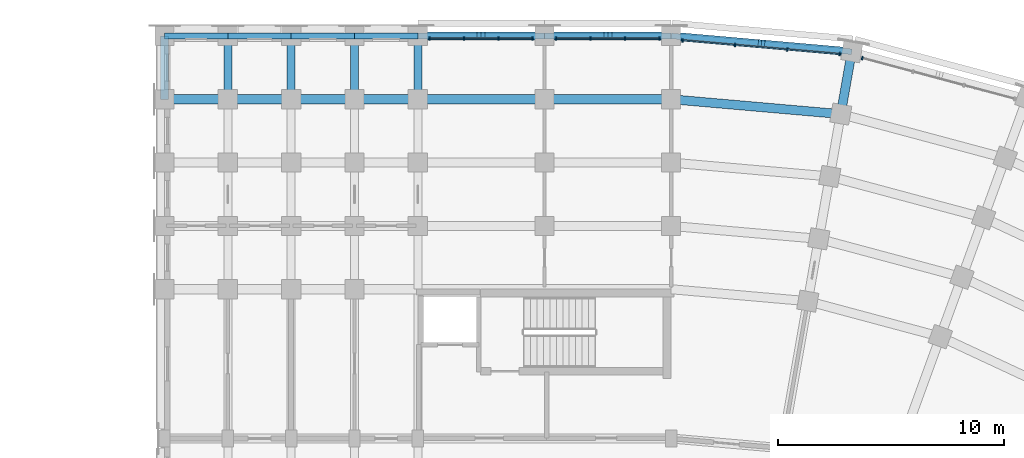
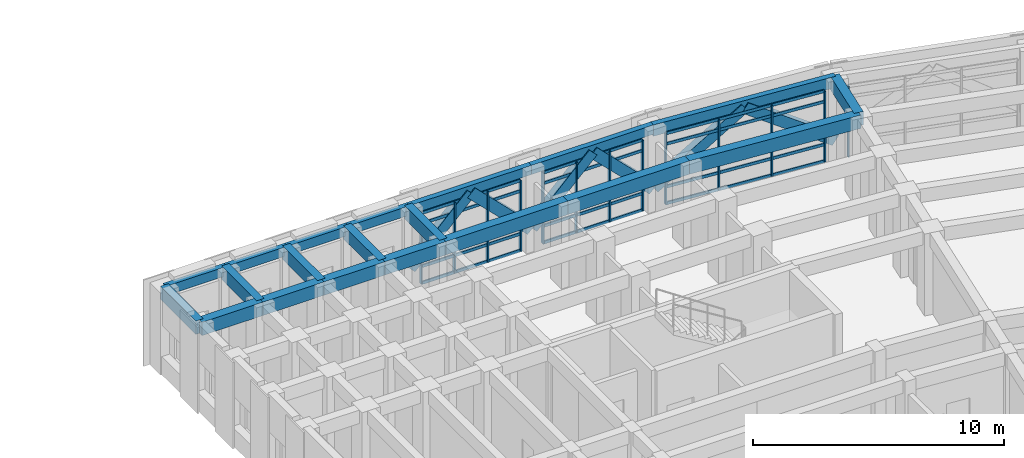
# One storey, part 39 of 97: 26 beams, 25 members, 4 elements without a shape of their own.
"""IFC4 building model written with IfcOpenShell, lengths in metres."""

from ifc_helpers import new_model, si_unit, direction, frame, origin, origin_2d, place, context, subcontext, project, spatial, rectangle, extrude, material, material_profile, profile_set, type_object, element, aggregate, save


model = new_model("IFC4")

# Units and contexts
model_context = context("Model", 3, precision=1e-05, world=origin(), true_north=direction((0.0, 1.0)))
body_context = subcontext(model_context, "Body", "Model", "MODEL_VIEW")
ifc_project = project(units=[si_unit("LENGTHUNIT", "METRE"), si_unit("AREAUNIT", "SQUARE_METRE"), si_unit("VOLUMEUNIT", "CUBIC_METRE"), si_unit("PLANEANGLEUNIT", "RADIAN"), si_unit("MASSUNIT", "GRAM", prefix="KILO")], contexts=[model_context])

# Site, building, storey
site_placement = place(None, origin())
site = spatial("IfcSite", under=ifc_project, at=site_placement, CompositionType="ELEMENT")
building_placement = place(site_placement, origin())
building = spatial("IfcBuilding", under=site, at=building_placement, Name="Kiranvali Square Residences", CompositionType="ELEMENT")
storey_placement = place(building_placement, frame((0.0, 0.0, 4.5)))
storey = spatial("IfcBuildingStorey", under=building, at=storey_placement, Name="L01", CompositionType="ELEMENT", Elevation=4.5)

# Beams
ifc_material_1 = material(Name="Concrete M40 (40 MPa)", Category="concrete")
ifc_material_profile_1 = material_profile(ifc_material_1, rectangle(XDim=0.35009765625, YDim=0.5, at=origin_2d()), Name="RC 350x500")
ifc_profile_set_1 = profile_set([ifc_material_profile_1], Name="Concrete M40 (40 MPa)")
beam_type_1 = type_object("IfcBeamType", Name="AR-M40-350x500", PredefinedType="USERDEFINED", material=ifc_profile_set_1)
for number, where, z_axis, x_axis, name in (
    (1, (119.83984375, 133.796630859375, 0.89990234375), (0.818861711603, -0.07164281584, 0.569502242498), (0.087157794078, 0.996194518621, 0.0), "Classical pointed Ottoman arch rib ARCH-B-CRV-7-00.1"),
    (2, (123.7939453125, 133.45068359375, 3.64990234375), (0.818861711603, -0.07164281584, -0.569502242498), (0.087157794078, 0.996194518621, 0.0), "Classical pointed Ottoman arch rib ARCH-B-CRV-7-00.2"),
):
    element("IfcBeam", number, at=place(storey_placement, frame(where, z_axis=z_axis, x_axis=x_axis)), inside=storey, type_object=beam_type_1, Name=name, ObjectType="ARCH RIB", PredefinedType="USERDEFINED", context=body_context, shape_type="SweptSolid", body=[
        extrude(rectangle(XDim=0.35009765625, YDim=0.5, at=origin_2d()), origin(), (0.0, 0.0, 1.0), 4.828857421875),
    ])
for number, where, z_axis, x_axis, name in (
    (3, (119.760009765625, 133.800048828125, 0.89990234375), (-0.708390178619, 0.0, 0.705821050151), (0.0, -1.0, 0.0), "Classical pointed Ottoman arch rib ARCH-B-A1-0.1"),
    (4, (117.0, 133.800048828125, 3.64990234375), (-0.708390178619, 0.0, -0.705821050151), (0.0, -1.0, 0.0), "Classical pointed Ottoman arch rib ARCH-B-A1-0.2"),
    (5, (114.159912109375, 133.800048828125, 0.89990234375), (-0.708390178619, 0.0, 0.705821050151), (0.0, -1.0, 0.0), "Classical pointed Ottoman arch rib ARCH-B-A1-1.1"),
    (6, (111.39990234375, 133.800048828125, 3.64990234375), (-0.708390178619, 0.0, -0.705821050151), (0.0, -1.0, 0.0), "Classical pointed Ottoman arch rib ARCH-B-A1-1.2"),
):
    element("IfcBeam", number, at=place(storey_placement, frame(where, z_axis=z_axis, x_axis=x_axis)), inside=storey, type_object=beam_type_1, Name=name, ObjectType="ARCH RIB", PredefinedType="USERDEFINED", context=body_context, shape_type="SweptSolid", body=[
        extrude(rectangle(XDim=0.35009765625, YDim=0.5, at=origin_2d()), origin(), (0.0, 0.0, 1.0), 3.896240234375),
    ])
ifc_material_profile_2 = material_profile(ifc_material_1, rectangle(XDim=0.35009765625, YDim=0.64990234375, at=origin_2d()), Name="RC 350x650")
ifc_profile_set_2 = profile_set([ifc_material_profile_2], Name="Concrete M40 (40 MPa)")
beam_type_2 = type_object("IfcBeamType", Name="BM-M40-350x650", PredefinedType="BEAM", material=ifc_profile_set_2)
for number, where, z_axis, x_axis, name in (
    (7, (108.60009765625, 131.0, 3.655029296875), (0.0, 1.0, 0.0), (-1.0, 0.0, 0.0), "L01 beam BM-B-L01-A1T1-67"),
    (8, (105.800048828125, 131.0, 3.655029296875), (0.0, 1.0, 0.0), (-1.0, 0.0, 0.0), "L01 beam BM-B-L01-A1T2-67"),
    (9, (103.0, 131.0, 3.655029296875), (0.0, 1.0, 0.0), (-1.0, 0.0, 0.0), "L01 beam BM-B-L01-A1T3-67"),
    (10, (100.199951171875, 131.0, 3.655029296875), (0.0, 1.0, 0.0), (-1.0, 0.0, 0.0), "L01 beam BM-B-L01-A1T4-67"),
    (11, (97.39990234375, 131.0, 3.655029296875), (0.0, 1.0, 0.0), (-1.0, 0.0, 0.0), "L01 beam BM-B-L01-A1T5-67"),
):
    element("IfcBeam", number, at=place(storey_placement, frame(where, z_axis=z_axis, x_axis=x_axis)), inside=storey, type_object=beam_type_2, Name=name, PredefinedType="BEAM", context=body_context, shape_type="SweptSolid", body=[
        extrude(rectangle(XDim=0.35009765625, YDim=0.64990234375, at=origin_2d()), origin(), (0.0, 0.0, 1.0), 2.800048828125),
    ])
ifc_material_2 = material(Name="Concrete M45 (45 MPa)", Category="concrete")
ifc_material_profile_3 = material_profile(ifc_material_2, rectangle(XDim=0.39990234375, YDim=0.64990234375, at=origin_2d()), Name="RC 400x650")
ifc_profile_set_3 = profile_set([ifc_material_profile_3], Name="Concrete M45 (45 MPa)")
beam_type_3 = type_object("IfcBeamType", Name="BM-M45-400x650", PredefinedType="BEAM", material=ifc_profile_set_3)
beam_1_placement = place(storey_placement, frame((119.800048828125, 131.0, 3.655029296875), z_axis=(0.996195195417, -0.087150058103, 0.0), x_axis=(0.087150058103, 0.996195195417, 0.0)))
element("IfcBeam", 12, at=beam_1_placement, inside=storey, type_object=beam_type_3, Name="L01 beam BM-B-L01-C00-R6", PredefinedType="BEAM", context=body_context, shape_type="SweptSolid", body=[
    extrude(rectangle(XDim=0.39990234375, YDim=0.64990234375, at=origin_2d()), origin(), (0.0, 0.0, 1.0), 7.530029296875),
])
beam_2_placement = place(storey_placement, frame((127.301513671875, 130.34375, 3.655029296875), z_axis=(0.173695795656, 0.984799355489, 0.0), x_axis=(-0.984799355489, 0.173695795656, 0.0)))
element("IfcBeam", 13, at=beam_2_placement, inside=storey, type_object=beam_type_3, Name="L01 beam BM-B-L01-RAD01-67", PredefinedType="BEAM", context=body_context, shape_type="SweptSolid", body=[
    extrude(rectangle(XDim=0.39990234375, YDim=0.64990234375, at=origin_2d()), origin(), (0.0, 0.0, 1.0), 2.7998046875),
])
beam_3_placement = place(storey_placement, frame((119.800048828125, 131.0, 3.655029296875), z_axis=(-1.0, 0.0, 0.0), x_axis=(0.0, -1.0, 0.0)))
element("IfcBeam", 14, at=beam_3_placement, inside=storey, type_object=beam_type_3, Name="L01 beam BM-B-L01-A1U0-R6", PredefinedType="BEAM", context=body_context, shape_type="SweptSolid", body=[
    extrude(rectangle(XDim=0.39990234375, YDim=0.64990234375, at=origin_2d()), origin(), (0.0, 0.0, 1.0), 5.60009765625),
])
beam_4_placement = place(storey_placement, frame((114.199951171875, 131.0, 3.655029296875), z_axis=(-1.0, 0.0, 0.0), x_axis=(0.0, -1.0, 0.0)))
element("IfcBeam", 15, at=beam_4_placement, inside=storey, type_object=beam_type_3, Name="L01 beam BM-B-L01-A1U1-R6", PredefinedType="BEAM", context=body_context, shape_type="SweptSolid", body=[
    extrude(rectangle(XDim=0.39990234375, YDim=0.64990234375, at=origin_2d()), origin(), (0.0, 0.0, 1.0), 5.599853515625),
])
for number, where, z_axis, x_axis, name in (
    (16, (108.60009765625, 131.0, 3.655029296875), (-1.0, 0.0, 0.0), (0.0, -1.0, 0.0), "L01 beam BM-B-L01-A1U2-R6"),
    (17, (105.800048828125, 131.0, 3.655029296875), (-1.0, 0.0, 0.0), (0.0, -1.0, 0.0), "L01 beam BM-B-L01-A1U3-R6"),
    (18, (103.0, 131.0, 3.655029296875), (-1.0, 0.0, 0.0), (0.0, -1.0, 0.0), "L01 beam BM-B-L01-A1U4-R6"),
    (19, (100.199951171875, 131.0, 3.655029296875), (-1.0, 0.0, 0.0), (0.0, -1.0, 0.0), "L01 beam BM-B-L01-A1U5-R6"),
):
    element("IfcBeam", number, at=place(storey_placement, frame(where, z_axis=z_axis, x_axis=x_axis)), inside=storey, type_object=beam_type_3, Name=name, PredefinedType="BEAM", context=body_context, shape_type="SweptSolid", body=[
        extrude(rectangle(XDim=0.39990234375, YDim=0.64990234375, at=origin_2d()), origin(), (0.0, 0.0, 1.0), 2.800048828125),
    ])

# Curtain wall, members
ifc_material_3 = material(Name="Anodised bronze aluminium framing", Category="aluminium")
curtain_wall_type = type_object("IfcCurtainWallType", Name="CW-RET-SHOP", PredefinedType="USERDEFINED", material=ifc_material_3)
curtain_wall_1_placement = place(storey_placement, origin())
curtain_wall_1 = element("IfcCurtainWall", 20, at=curtain_wall_1_placement, inside=storey, type_object=curtain_wall_type, Name="Block B L01 rounded-corner arcade curtain wall 1", ObjectType="CURTAIN WALL", PredefinedType="USERDEFINED")
ifc_material_profile_4 = material_profile(ifc_material_3, rectangle(XDim=0.06494140625, YDim=0.159912109375, at=origin_2d()), Name="ALU 65x160")
ifc_profile_set_4 = profile_set([ifc_material_profile_4], Name="Anodised bronze aluminium framing")
member_type_1 = type_object("IfcMemberType", Name="CW-MUL-160", PredefinedType="MULLION", material=ifc_profile_set_4)
member_1_placement = place(storey_placement, frame((120.304931640625, 133.605224609375, 0.02001953125), z_axis=(0.0, 0.0, 1.0), x_axis=(0.996194698092, -0.087155742748, 0.0)))
member_1 = element("IfcMember", 21, at=member_1_placement, type_object=member_type_1, Name="CW-B-L01-CRV-00 vertical mullion 1", PredefinedType="MULLION", context=body_context, shape_type="SweptSolid", body=[
    extrude(rectangle(XDim=0.06494140625, YDim=0.159912109375, at=origin_2d()), origin(), (0.0, 0.0, 1.0), 3.43994140625),
])
member_2_placement = place(storey_placement, frame((122.622314453125, 133.402587890625, 0.02001953125), z_axis=(0.0, 0.0, 1.0), x_axis=(0.996194698092, -0.087155742748, 0.0)))
member_2 = element("IfcMember", 22, at=member_2_placement, type_object=member_type_1, Name="CW-B-L01-CRV-00 vertical mullion 2", PredefinedType="MULLION", context=body_context, shape_type="SweptSolid", body=[
    extrude(rectangle(XDim=0.06494140625, YDim=0.159912109375, at=origin_2d()), origin(), (0.0, 0.0, 1.0), 3.43994140625),
])
member_3_placement = place(storey_placement, frame((124.939453125, 133.19970703125, 0.02001953125), z_axis=(0.0, 0.0, 1.0), x_axis=(0.996194698092, -0.087155742748, 0.0)))
member_3 = element("IfcMember", 23, at=member_3_placement, type_object=member_type_1, Name="CW-B-L01-CRV-00 vertical mullion 3", PredefinedType="MULLION", context=body_context, shape_type="SweptSolid", body=[
    extrude(rectangle(XDim=0.06494140625, YDim=0.159912109375, at=origin_2d()), origin(), (0.0, 0.0, 1.0), 3.43994140625),
])
member_4_placement = place(storey_placement, frame((127.2568359375, 132.9970703125, 0.02001953125), z_axis=(0.0, 0.0, 1.0), x_axis=(0.996194698092, -0.087155742748, 0.0)))
member_4 = element("IfcMember", 24, at=member_4_placement, type_object=member_type_1, Name="CW-B-L01-CRV-00 vertical mullion 4", PredefinedType="MULLION", context=body_context, shape_type="SweptSolid", body=[
    extrude(rectangle(XDim=0.06494140625, YDim=0.159912109375, at=origin_2d()), origin(), (0.0, 0.0, 1.0), 3.43994140625),
])

# Curtain wall, member
curtain_wall_2_placement = place(storey_placement, origin())
curtain_wall_2 = element("IfcCurtainWall", 25, at=curtain_wall_2_placement, inside=storey, type_object=curtain_wall_type, Name="Block B L01 rounded-corner arcade curtain wall 2", ObjectType="CURTAIN WALL", PredefinedType="USERDEFINED")
member_5_placement = place(storey_placement, frame((128.251220703125, 132.82177734375, 0.02001953125), z_axis=(0.0, 0.0, 1.0), x_axis=(0.965925826289, -0.258819045103, 0.0)))
member_5 = element("IfcMember", 26, at=member_5_placement, type_object=member_type_1, Name="CW-B-L01-CRV-01 vertical mullion 1", PredefinedType="MULLION", context=body_context, shape_type="SweptSolid", body=[
    extrude(rectangle(XDim=0.06494140625, YDim=0.159912109375, at=origin_2d()), origin(), (0.0, 0.0, 1.0), 3.43994140625),
])
aggregate(curtain_wall_2, [member_5])

# Curtain wall, members
curtain_wall_3_placement = place(storey_placement, origin())
curtain_wall_3 = element("IfcCurtainWall", 27, at=curtain_wall_3_placement, inside=storey, type_object=curtain_wall_type, Name="L01 curtain wall CW-B-L01-A1-0", ObjectType="CURTAIN WALL", PredefinedType="USERDEFINED")
member_6_placement = place(storey_placement, frame((119.280029296875, 133.679931640625, 0.02001953125), z_axis=(0.0, 0.0, 1.0), x_axis=(-1.0, 0.0, 0.0)))
member_6 = element("IfcMember", 28, at=member_6_placement, type_object=member_type_1, Name="CW-B-L01-A1-0 vertical mullion 1", PredefinedType="MULLION", context=body_context, shape_type="SweptSolid", body=[
    extrude(rectangle(XDim=0.06494140625, YDim=0.159912109375, at=origin_2d()), origin(), (0.0, 0.0, 1.0), 3.43994140625),
])
member_7_placement = place(storey_placement, frame((117.760009765625, 133.679931640625, 0.02001953125), z_axis=(0.0, 0.0, 1.0), x_axis=(-1.0, 0.0, 0.0)))
member_7 = element("IfcMember", 29, at=member_7_placement, type_object=member_type_1, Name="CW-B-L01-A1-0 vertical mullion 2", PredefinedType="MULLION", context=body_context, shape_type="SweptSolid", body=[
    extrude(rectangle(XDim=0.06494140625, YDim=0.159912109375, at=origin_2d()), origin(), (0.0, 0.0, 1.0), 3.43994140625),
])
member_8_placement = place(storey_placement, frame((116.239990234375, 133.679931640625, 0.02001953125), z_axis=(0.0, 0.0, 1.0), x_axis=(-1.0, 0.0, 0.0)))
member_8 = element("IfcMember", 30, at=member_8_placement, type_object=member_type_1, Name="CW-B-L01-A1-0 vertical mullion 3", PredefinedType="MULLION", context=body_context, shape_type="SweptSolid", body=[
    extrude(rectangle(XDim=0.06494140625, YDim=0.159912109375, at=origin_2d()), origin(), (0.0, 0.0, 1.0), 3.43994140625),
])
member_9_placement = place(storey_placement, frame((114.719970703125, 133.679931640625, 0.02001953125), z_axis=(0.0, 0.0, 1.0), x_axis=(-1.0, 0.0, 0.0)))
member_9 = element("IfcMember", 31, at=member_9_placement, type_object=member_type_1, Name="CW-B-L01-A1-0 vertical mullion 4", PredefinedType="MULLION", context=body_context, shape_type="SweptSolid", body=[
    extrude(rectangle(XDim=0.06494140625, YDim=0.159912109375, at=origin_2d()), origin(), (0.0, 0.0, 1.0), 3.43994140625),
])

curtain_wall_4_placement = place(storey_placement, origin())
curtain_wall_4 = element("IfcCurtainWall", 32, at=curtain_wall_4_placement, inside=storey, type_object=curtain_wall_type, Name="L01 curtain wall CW-B-L01-A1-1", ObjectType="CURTAIN WALL", PredefinedType="USERDEFINED")
member_10_placement = place(storey_placement, frame((113.679931640625, 133.679931640625, 0.02001953125), z_axis=(0.0, 0.0, 1.0), x_axis=(-1.0, 0.0, 0.0)))
member_10 = element("IfcMember", 33, at=member_10_placement, type_object=member_type_1, Name="CW-B-L01-A1-1 vertical mullion 1", PredefinedType="MULLION", context=body_context, shape_type="SweptSolid", body=[
    extrude(rectangle(XDim=0.06494140625, YDim=0.159912109375, at=origin_2d()), origin(), (0.0, 0.0, 1.0), 3.43994140625),
])
member_11_placement = place(storey_placement, frame((112.159912109375, 133.679931640625, 0.02001953125), z_axis=(0.0, 0.0, 1.0), x_axis=(-1.0, 0.0, 0.0)))
member_11 = element("IfcMember", 34, at=member_11_placement, type_object=member_type_1, Name="CW-B-L01-A1-1 vertical mullion 2", PredefinedType="MULLION", context=body_context, shape_type="SweptSolid", body=[
    extrude(rectangle(XDim=0.06494140625, YDim=0.159912109375, at=origin_2d()), origin(), (0.0, 0.0, 1.0), 3.43994140625),
])
member_12_placement = place(storey_placement, frame((110.639892578125, 133.679931640625, 0.02001953125), z_axis=(0.0, 0.0, 1.0), x_axis=(-1.0, 0.0, 0.0)))
member_12 = element("IfcMember", 35, at=member_12_placement, type_object=member_type_1, Name="CW-B-L01-A1-1 vertical mullion 3", PredefinedType="MULLION", context=body_context, shape_type="SweptSolid", body=[
    extrude(rectangle(XDim=0.06494140625, YDim=0.159912109375, at=origin_2d()), origin(), (0.0, 0.0, 1.0), 3.43994140625),
])
member_13_placement = place(storey_placement, frame((109.1201171875, 133.679931640625, 0.02001953125), z_axis=(0.0, 0.0, 1.0), x_axis=(-1.0, 0.0, 0.0)))
member_13 = element("IfcMember", 36, at=member_13_placement, type_object=member_type_1, Name="CW-B-L01-A1-1 vertical mullion 4", PredefinedType="MULLION", context=body_context, shape_type="SweptSolid", body=[
    extrude(rectangle(XDim=0.06494140625, YDim=0.159912109375, at=origin_2d()), origin(), (0.0, 0.0, 1.0), 3.43994140625),
])

# Member
ifc_material_profile_5 = material_profile(ifc_material_3, rectangle(XDim=0.06494140625, YDim=0.139892578125, at=origin_2d()), Name="ALU 65x140")
ifc_profile_set_5 = profile_set([ifc_material_profile_5], Name="Anodised bronze aluminium framing")
member_type_2 = type_object("IfcMemberType", Name="CW-TRN-140", PredefinedType="MULLION", material=ifc_profile_set_5)
member_14_placement = place(storey_placement, frame((120.31494140625, 133.6044921875, 0.0400390625), z_axis=(0.996191851174, -0.087188277046, 0.0), x_axis=(0.087188277046, 0.996191851174, 0.0)))
member_14 = element("IfcMember", 37, at=member_14_placement, type_object=member_type_2, Name="CW-B-L01-CRV-00 horizontal transom 1", PredefinedType="MULLION", context=body_context, shape_type="SweptSolid", body=[
    extrude(rectangle(XDim=0.06494140625, YDim=0.139892578125, at=origin_2d()), origin(), (0.0, 0.0, 1.0), 6.95849609375),
])

member_15_placement = place(storey_placement, frame((120.31494140625, 133.6044921875, 0.85009765625), z_axis=(0.996191851174, -0.087188277046, 0.0), x_axis=(0.087188277046, 0.996191851174, 0.0)))
member_15 = element("IfcMember", 38, at=member_15_placement, type_object=member_type_2, Name="CW-B-L01-CRV-00 horizontal transom 2", PredefinedType="MULLION", context=body_context, shape_type="SweptSolid", body=[
    extrude(rectangle(XDim=0.06494140625, YDim=0.139892578125, at=origin_2d()), origin(), (0.0, 0.0, 1.0), 6.95849609375),
])

member_16_placement = place(storey_placement, frame((120.31494140625, 133.6044921875, 2.929931640625), z_axis=(0.996191851174, -0.087188277046, 0.0), x_axis=(0.087188277046, 0.996191851174, 0.0)))
member_16 = element("IfcMember", 39, at=member_16_placement, type_object=member_type_2, Name="CW-B-L01-CRV-00 horizontal transom 3", PredefinedType="MULLION", context=body_context, shape_type="SweptSolid", body=[
    extrude(rectangle(XDim=0.06494140625, YDim=0.139892578125, at=origin_2d()), origin(), (0.0, 0.0, 1.0), 6.95849609375),
])

member_17_placement = place(storey_placement, frame((120.31494140625, 133.6044921875, 3.43994140625), z_axis=(0.996191851174, -0.087188277046, 0.0), x_axis=(0.087188277046, 0.996191851174, 0.0)))
member_17 = element("IfcMember", 40, at=member_17_placement, type_object=member_type_2, Name="CW-B-L01-CRV-00 horizontal transom 4", PredefinedType="MULLION", context=body_context, shape_type="SweptSolid", body=[
    extrude(rectangle(XDim=0.06494140625, YDim=0.139892578125, at=origin_2d()), origin(), (0.0, 0.0, 1.0), 6.95849609375),
])

aggregate(curtain_wall_1, [member_1, member_2, member_3, member_4, member_14, member_15, member_16, member_17])

member_18_placement = place(storey_placement, frame((119.27001953125, 133.679931640625, 0.0400390625), z_axis=(-1.0, 0.0, 0.0), x_axis=(0.0, -1.0, 0.0)))
member_18 = element("IfcMember", 41, at=member_18_placement, type_object=member_type_2, Name="CW-B-L01-A1-0 horizontal transom 1", PredefinedType="MULLION", context=body_context, shape_type="SweptSolid", body=[
    extrude(rectangle(XDim=0.06494140625, YDim=0.139892578125, at=origin_2d()), origin(), (0.0, 0.0, 1.0), 4.5400390625),
])

member_19_placement = place(storey_placement, frame((119.27001953125, 133.679931640625, 0.85009765625), z_axis=(-1.0, 0.0, 0.0), x_axis=(0.0, -1.0, 0.0)))
member_19 = element("IfcMember", 42, at=member_19_placement, type_object=member_type_2, Name="CW-B-L01-A1-0 horizontal transom 2", PredefinedType="MULLION", context=body_context, shape_type="SweptSolid", body=[
    extrude(rectangle(XDim=0.06494140625, YDim=0.139892578125, at=origin_2d()), origin(), (0.0, 0.0, 1.0), 4.5400390625),
])

member_20_placement = place(storey_placement, frame((119.27001953125, 133.679931640625, 2.929931640625), z_axis=(-1.0, 0.0, 0.0), x_axis=(0.0, -1.0, 0.0)))
member_20 = element("IfcMember", 43, at=member_20_placement, type_object=member_type_2, Name="CW-B-L01-A1-0 horizontal transom 3", PredefinedType="MULLION", context=body_context, shape_type="SweptSolid", body=[
    extrude(rectangle(XDim=0.06494140625, YDim=0.139892578125, at=origin_2d()), origin(), (0.0, 0.0, 1.0), 4.5400390625),
])

member_21_placement = place(storey_placement, frame((119.27001953125, 133.679931640625, 3.43994140625), z_axis=(-1.0, 0.0, 0.0), x_axis=(0.0, -1.0, 0.0)))
member_21 = element("IfcMember", 44, at=member_21_placement, type_object=member_type_2, Name="CW-B-L01-A1-0 horizontal transom 4", PredefinedType="MULLION", context=body_context, shape_type="SweptSolid", body=[
    extrude(rectangle(XDim=0.06494140625, YDim=0.139892578125, at=origin_2d()), origin(), (0.0, 0.0, 1.0), 4.5400390625),
])

aggregate(curtain_wall_3, [member_6, member_7, member_8, member_9, member_18, member_19, member_20, member_21])

member_22_placement = place(storey_placement, frame((113.669921875, 133.679931640625, 0.0400390625), z_axis=(-1.0, 0.0, 0.0), x_axis=(0.0, -1.0, 0.0)))
member_22 = element("IfcMember", 45, at=member_22_placement, type_object=member_type_2, Name="CW-B-L01-A1-1 horizontal transom 1", PredefinedType="MULLION", context=body_context, shape_type="SweptSolid", body=[
    extrude(rectangle(XDim=0.06494140625, YDim=0.139892578125, at=origin_2d()), origin(), (0.0, 0.0, 1.0), 4.5400390625),
])

member_23_placement = place(storey_placement, frame((113.669921875, 133.679931640625, 0.85009765625), z_axis=(-1.0, 0.0, 0.0), x_axis=(0.0, -1.0, 0.0)))
member_23 = element("IfcMember", 46, at=member_23_placement, type_object=member_type_2, Name="CW-B-L01-A1-1 horizontal transom 2", PredefinedType="MULLION", context=body_context, shape_type="SweptSolid", body=[
    extrude(rectangle(XDim=0.06494140625, YDim=0.139892578125, at=origin_2d()), origin(), (0.0, 0.0, 1.0), 4.5400390625),
])

member_24_placement = place(storey_placement, frame((113.669921875, 133.679931640625, 2.929931640625), z_axis=(-1.0, 0.0, 0.0), x_axis=(0.0, -1.0, 0.0)))
member_24 = element("IfcMember", 47, at=member_24_placement, type_object=member_type_2, Name="CW-B-L01-A1-1 horizontal transom 3", PredefinedType="MULLION", context=body_context, shape_type="SweptSolid", body=[
    extrude(rectangle(XDim=0.06494140625, YDim=0.139892578125, at=origin_2d()), origin(), (0.0, 0.0, 1.0), 4.5400390625),
])

member_25_placement = place(storey_placement, frame((113.669921875, 133.679931640625, 3.43994140625), z_axis=(-1.0, 0.0, 0.0), x_axis=(0.0, -1.0, 0.0)))
member_25 = element("IfcMember", 48, at=member_25_placement, type_object=member_type_2, Name="CW-B-L01-A1-1 horizontal transom 4", PredefinedType="MULLION", context=body_context, shape_type="SweptSolid", body=[
    extrude(rectangle(XDim=0.06494140625, YDim=0.139892578125, at=origin_2d()), origin(), (0.0, 0.0, 1.0), 4.5400390625),
])

aggregate(curtain_wall_4, [member_10, member_11, member_12, member_13, member_22, member_23, member_24, member_25])

# Beams
ifc_material_profile_6 = material_profile(ifc_material_1, rectangle(XDim=0.25, YDim=0.449951171875, at=origin_2d()), Name="RC 250x450")
ifc_profile_set_6 = profile_set([ifc_material_profile_6], Name="Concrete M40 (40 MPa)")
beam_type_4 = type_object("IfcBeamType", Name="SPN-M40-250x450", PredefinedType="SPANDREL", material=ifc_profile_set_6)
beam_5_placement = place(storey_placement, frame((119.800048828125, 133.800048828125, 3.7548828125), z_axis=(-1.0, 0.0, 0.0), x_axis=(0.0, -1.0, 0.0)))
element("IfcBeam", 49, at=beam_5_placement, inside=storey, type_object=beam_type_4, Name="L01 beam BM-B-L01-A1U0-R7", PredefinedType="SPANDREL", context=body_context, shape_type="SweptSolid", body=[
    extrude(rectangle(XDim=0.25, YDim=0.449951171875, at=origin_2d()), origin(), (0.0, 0.0, 1.0), 5.60009765625),
])
beam_6_placement = place(storey_placement, frame((114.199951171875, 133.800048828125, 3.7548828125), z_axis=(-1.0, 0.0, 0.0), x_axis=(0.0, -1.0, 0.0)))
element("IfcBeam", 50, at=beam_6_placement, inside=storey, type_object=beam_type_4, Name="L01 beam BM-B-L01-A1U1-R7", PredefinedType="SPANDREL", context=body_context, shape_type="SweptSolid", body=[
    extrude(rectangle(XDim=0.25, YDim=0.449951171875, at=origin_2d()), origin(), (0.0, 0.0, 1.0), 5.599853515625),
])
for number, where, z_axis, x_axis, name in (
    (51, (108.60009765625, 133.800048828125, 3.7548828125), (-1.0, 0.0, 0.0), (0.0, -1.0, 0.0), "L01 beam BM-B-L01-A1U2-R7"),
    (52, (105.800048828125, 133.800048828125, 3.7548828125), (-1.0, 0.0, 0.0), (0.0, -1.0, 0.0), "L01 beam BM-B-L01-A1U3-R7"),
    (53, (103.0, 133.800048828125, 3.7548828125), (-1.0, 0.0, 0.0), (0.0, -1.0, 0.0), "L01 beam BM-B-L01-A1U4-R7"),
    (54, (100.199951171875, 133.800048828125, 3.7548828125), (-1.0, 0.0, 0.0), (0.0, -1.0, 0.0), "L01 beam BM-B-L01-A1U5-R7"),
):
    element("IfcBeam", number, at=place(storey_placement, frame(where, z_axis=z_axis, x_axis=x_axis)), inside=storey, type_object=beam_type_4, Name=name, PredefinedType="SPANDREL", context=body_context, shape_type="SweptSolid", body=[
        extrude(rectangle(XDim=0.25, YDim=0.449951171875, at=origin_2d()), origin(), (0.0, 0.0, 1.0), 2.800048828125),
    ])
ifc_material_profile_7 = material_profile(ifc_material_1, rectangle(XDim=0.25, YDim=0.550048828125, at=origin_2d()), Name="RC 250x550")
ifc_profile_set_7 = profile_set([ifc_material_profile_7], Name="Concrete M40 (40 MPa)")
beam_type_5 = type_object("IfcBeamType", Name="SPN-M40-250x550", PredefinedType="SPANDREL", material=ifc_profile_set_7)
beam_7_placement = place(storey_placement, frame((119.800048828125, 133.800048828125, 3.705078125), z_axis=(0.996193254792, -0.087172238171, 0.0), x_axis=(0.087172238171, 0.996193254792, 0.0)))
element("IfcBeam", 55, at=beam_7_placement, inside=storey, type_object=beam_type_5, Name="L01 beam BM-B-L01-C00-R7", PredefinedType="SPANDREL", context=body_context, shape_type="SweptSolid", body=[
    extrude(rectangle(XDim=0.25, YDim=0.550048828125, at=origin_2d()), origin(), (0.0, 0.0, 1.0), 8.018310546875),
])

save(model, "model.ifc")
